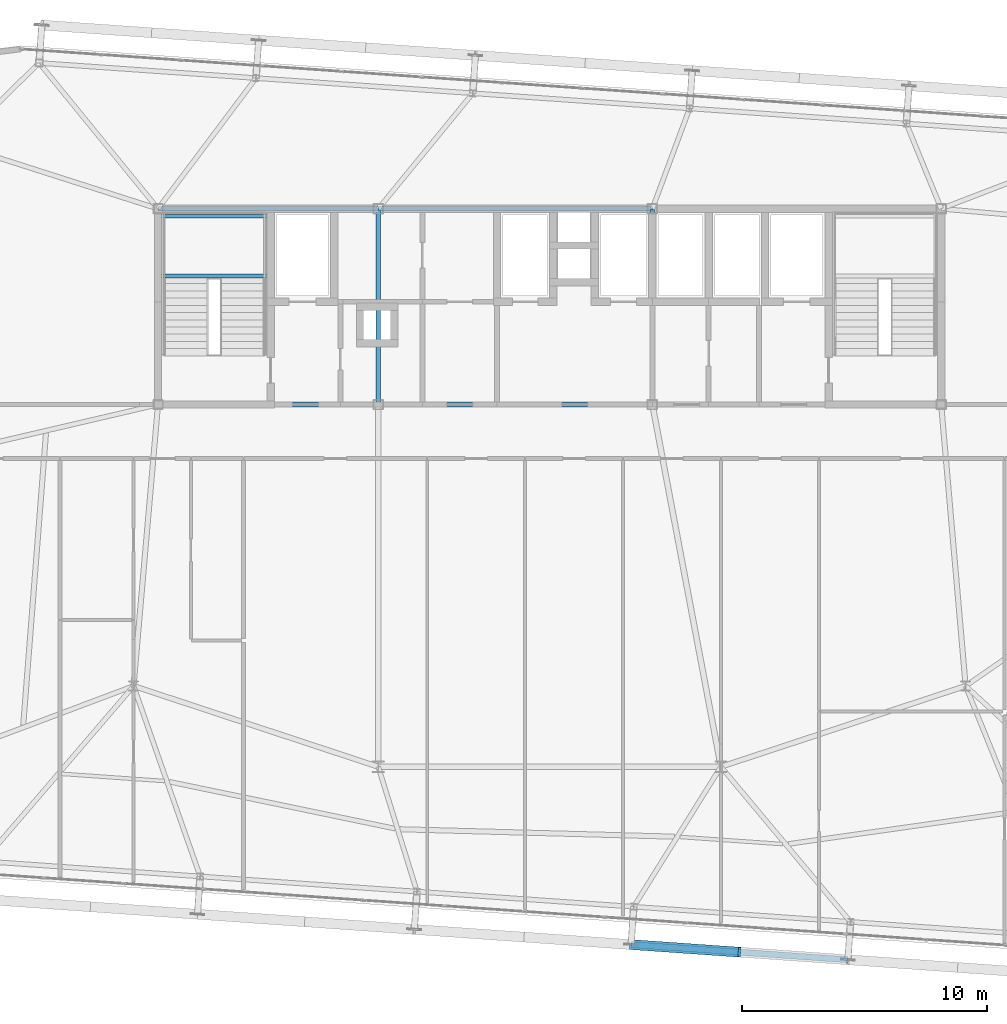
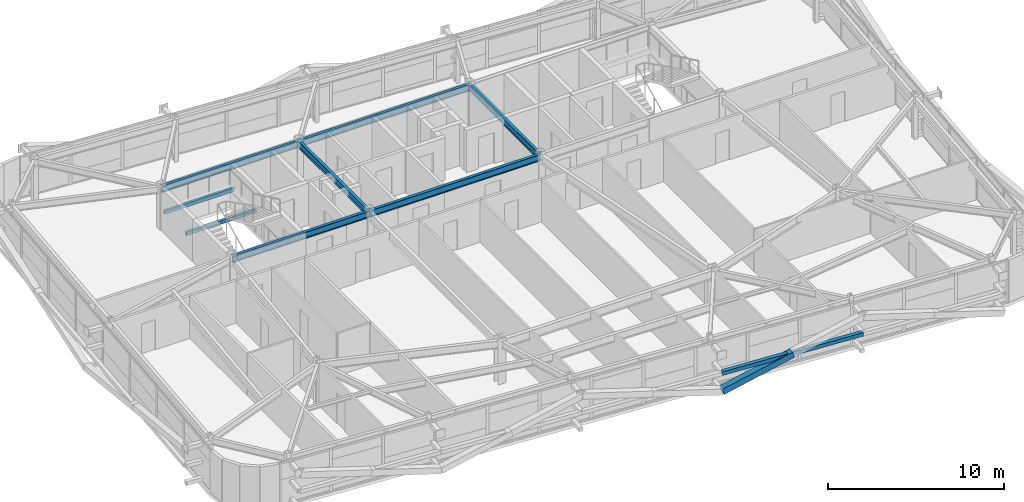
# One storey, part 17 of 47: 8 beams, 2 members.
"""IFC4 building model written with IfcOpenShell, lengths in metres."""

from ifc_helpers import new_model, si_unit, direction, frame, origin, origin_2d, place, context, subcontext, project, spatial, hollow_rectangle, i_section, extrude, source, transform, mapped, material, material_profile, profile_set, type_object, element, save


model = new_model("IFC4")

# Units and contexts
model_context = context("Model", 3, precision=1e-05, world=origin(), true_north=direction((0.0, 1.0)))
body_context = subcontext(model_context, "Body", "Model", "MODEL_VIEW")
ifc_project = project(units=[si_unit("LENGTHUNIT", "METRE"), si_unit("AREAUNIT", "SQUARE_METRE"), si_unit("VOLUMEUNIT", "CUBIC_METRE"), si_unit("PLANEANGLEUNIT", "RADIAN"), si_unit("MASSUNIT", "GRAM", prefix="KILO")], contexts=[model_context])

# Site, building, storey
site_placement = place(None, origin())
site = spatial("IfcSite", under=ifc_project, at=site_placement, CompositionType="ELEMENT")
building_placement = place(site_placement, origin())
building = spatial("IfcBuilding", under=site, at=building_placement, Name="Taldren Reach Tower", CompositionType="ELEMENT")
storey_placement = place(building_placement, frame((0.0, 0.0, 142.449951171875)))
storey = spatial("IfcBuildingStorey", under=building, at=storey_placement, Name="L43", CompositionType="ELEMENT", Elevation=142.449951171875)

# Beams
ifc_material_1 = material(Name="Steel Gr 350 (350PLUS)", Category="steel")
ifc_material_profile_1 = material_profile(ifc_material_1, i_section(OverallWidth=0.19091796875, OverallDepth=0.4599609375, WebThickness=0.010009765625, FlangeThickness=0.01611328125, at=origin_2d()), Name="460UB82.1")
ifc_profile_set_1 = profile_set([ifc_material_profile_1], Name="Steel Gr 350 (350PLUS)")
beam_type_1 = type_object("IfcBeamType", Name="BM-UB460A", PredefinedType="BEAM", material=ifc_profile_set_1)
shared_shape_1 = source(origin(), body_context, "Body", "SweptSolid", [
    extrude(i_section(OverallWidth=0.19091796875, OverallDepth=0.4599609375, WebThickness=0.010009765625, FlangeThickness=0.01611328125, at=origin_2d()), origin(), (0.0, 0.0, 1.0), 9.0),
])
for number, where, z_axis, x_axis, name in (
    (1, (19.0, 24.0, 2.699951171875), (1.0, 0.0, 0.0), (0.0, 1.0, 0.0), "Core-spine girder L43-SP01"),
    (2, (19.0, 32.0, 2.699951171875), (1.0, 0.0, 0.0), (0.0, 1.0, 0.0), "Core-spine girder L43-SP04"),
):
    element("IfcBeam", number, at=place(storey_placement, frame(where, z_axis=z_axis, x_axis=x_axis)), inside=storey, type_object=beam_type_1, Name=name, PredefinedType="BEAM", context=body_context, shape_type="MappedRepresentation", body=[
        mapped(shared_shape_1, transform((0.0, 0.0, 0.0), scale=1.0)),
    ])
shared_shape_2 = source(origin(), body_context, "Body", "SweptSolid", [
    extrude(i_section(OverallWidth=0.19091796875, OverallDepth=0.4599609375, WebThickness=0.010009765625, FlangeThickness=0.01611328125, at=origin_2d()), origin(), (0.0, 0.0, 1.0), 11.199951171875),
])
for number, where, z_axis, x_axis, name in (
    (3, (28.0, 24.0, 2.699951171875), (1.0, 0.0, 0.0), (0.0, 1.0, 0.0), "Core-spine girder L43-SP02"),
    (4, (28.0, 32.0, 2.699951171875), (1.0, 0.0, 0.0), (0.0, 1.0, 0.0), "Core-spine girder L43-SP05"),
):
    element("IfcBeam", number, at=place(storey_placement, frame(where, z_axis=z_axis, x_axis=x_axis)), inside=storey, type_object=beam_type_1, Name=name, PredefinedType="BEAM", context=body_context, shape_type="MappedRepresentation", body=[
        mapped(shared_shape_2, transform((0.0, 0.0, 0.0), scale=1.0)),
    ])
shared_shape_3 = source(origin(), body_context, "Body", "SweptSolid", [
    extrude(i_section(OverallWidth=0.19091796875, OverallDepth=0.4599609375, WebThickness=0.010009765625, FlangeThickness=0.01611328125, at=origin_2d()), origin(), (0.0, 0.0, 1.0), 8.0),
])
for number, where, z_axis, x_axis, name in (
    (5, (28.0, 24.0, 2.699951171875), (0.0, 1.0, 0.0), (-1.0, 0.0, 0.0), "Core-spine girder L43-SP07"),
    (6, (39.199951171875, 24.0, 2.699951171875), (0.0, 1.0, 0.0), (-1.0, 0.0, 0.0), "Core-spine girder L43-SP08"),
):
    element("IfcBeam", number, at=place(storey_placement, frame(where, z_axis=z_axis, x_axis=x_axis)), inside=storey, type_object=beam_type_1, Name=name, PredefinedType="BEAM", context=body_context, shape_type="MappedRepresentation", body=[
        mapped(shared_shape_3, transform((0.0, 0.0, 0.0), scale=1.0)),
    ])

# Members
ifc_material_2 = material(Name="Steel Gr 350 (C350L0)", Category="steel")
ifc_material_profile_2 = material_profile(ifc_material_2, hollow_rectangle(XDim=0.25, YDim=0.25, WallThickness=0.010009765625, at=origin_2d()), Name="250x250x10.0SHS")
ifc_profile_set_2 = profile_set([ifc_material_profile_2], Name="Steel Gr 350 (C350L0)")
member_type_1 = type_object("IfcMemberType", Name="MB-POST250", PredefinedType="POST", material=ifc_profile_set_2)
shared_shape_4 = source(origin(), body_context, "Body", "SweptSolid", [
    extrude(hollow_rectangle(XDim=0.25, YDim=0.25, WallThickness=0.010009765625, at=origin_2d()), origin(), (0.0, 0.0, 1.0), 8.880126953125),
])
member_1_placement = place(storey_placement, frame((38.33056640625, 1.933837890625, 1.43505859375), z_axis=(0.997564479639, -0.069750333063, 0.0), x_axis=(0.069750333063, 0.997564479639, 0.0)))
element("IfcMember", 7, at=member_1_placement, inside=storey, type_object=member_type_1, Name="Exoskeleton mid-height ring chord B3-S4 L43", PredefinedType="POST", context=body_context, shape_type="MappedRepresentation", body=[
    mapped(shared_shape_4, transform((0.0, 0.0, 0.0), scale=1.0)),
])
ifc_material_3 = material(Name="Steel Gr 450 (C450L0)", Category="steel")
ifc_material_profile_3 = material_profile(ifc_material_3, hollow_rectangle(XDim=0.409912109375, YDim=0.409912109375, WallThickness=0.01611328125, at=origin_2d()), Name="410x410x16.0SHS")
ifc_profile_set_3 = profile_set([ifc_material_profile_3], Name="Steel Gr 450 (C450L0)")
member_type_2 = type_object("IfcMemberType", Name="MB-EXO406", PredefinedType="BRACE", material=ifc_profile_set_3)
shared_shape_5 = source(origin(), body_context, "Body", "SweptSolid", [
    extrude(hollow_rectangle(XDim=0.409912109375, YDim=0.409912109375, WallThickness=0.01611328125, at=origin_2d()), origin(), (0.0, 0.0, 1.0), 4.603271484375),
])
member_2_placement = place(storey_placement, frame((38.33056640625, 1.933837890625, 0.219970703125), z_axis=(0.962185784239, -0.067250114343, 0.263962002434), x_axis=(0.069722973508, 0.997566392259, 0.0)))
element("IfcMember", 8, at=member_2_placement, inside=storey, type_object=member_type_2, Name="Exoskeleton Diagrid Brace B3-S4 L43", PredefinedType="BRACE", context=body_context, shape_type="MappedRepresentation", body=[
    mapped(shared_shape_5, transform((0.0, 0.0, 0.0), scale=1.0)),
])

# Beams
ifc_material_profile_4 = material_profile(ifc_material_2, hollow_rectangle(XDim=0.14990234375, YDim=0.25, WallThickness=0.009033203125, at=origin_2d()), Name="250x150x9.0RHS")
ifc_profile_set_4 = profile_set([ifc_material_profile_4], Name="Steel Gr 350 (C350L0)")
beam_type_2 = type_object("IfcBeamType", Name="LN-RHS250", PredefinedType="LINTEL", material=ifc_profile_set_4)
shared_shape_6 = source(origin(), body_context, "Body", "SweptSolid", [
    extrude(hollow_rectangle(XDim=0.14990234375, YDim=0.25, WallThickness=0.009033203125, at=origin_2d()), origin(), (0.0, 0.0, 1.0), 4.60009765625),
])
for number, where, z_axis, x_axis, name in (
    (9, (19.0, 29.2548828125, 1.27001953125), (1.0, 0.0, 0.0), (0.0, 1.0, 0.0), "Stair half-landing support beam ST1-L43-1"),
    (10, (19.0, 31.699951171875, 1.27001953125), (1.0, 0.0, 0.0), (0.0, 1.0, 0.0), "Stair half-landing support beam ST1-L43-2"),
):
    element("IfcBeam", number, at=place(storey_placement, frame(where, z_axis=z_axis, x_axis=x_axis)), inside=storey, type_object=beam_type_2, Name=name, PredefinedType="LINTEL", context=body_context, shape_type="MappedRepresentation", body=[
        mapped(shared_shape_6, transform((0.0, 0.0, 0.0), scale=1.0)),
    ])

save(model, "model.ifc")
